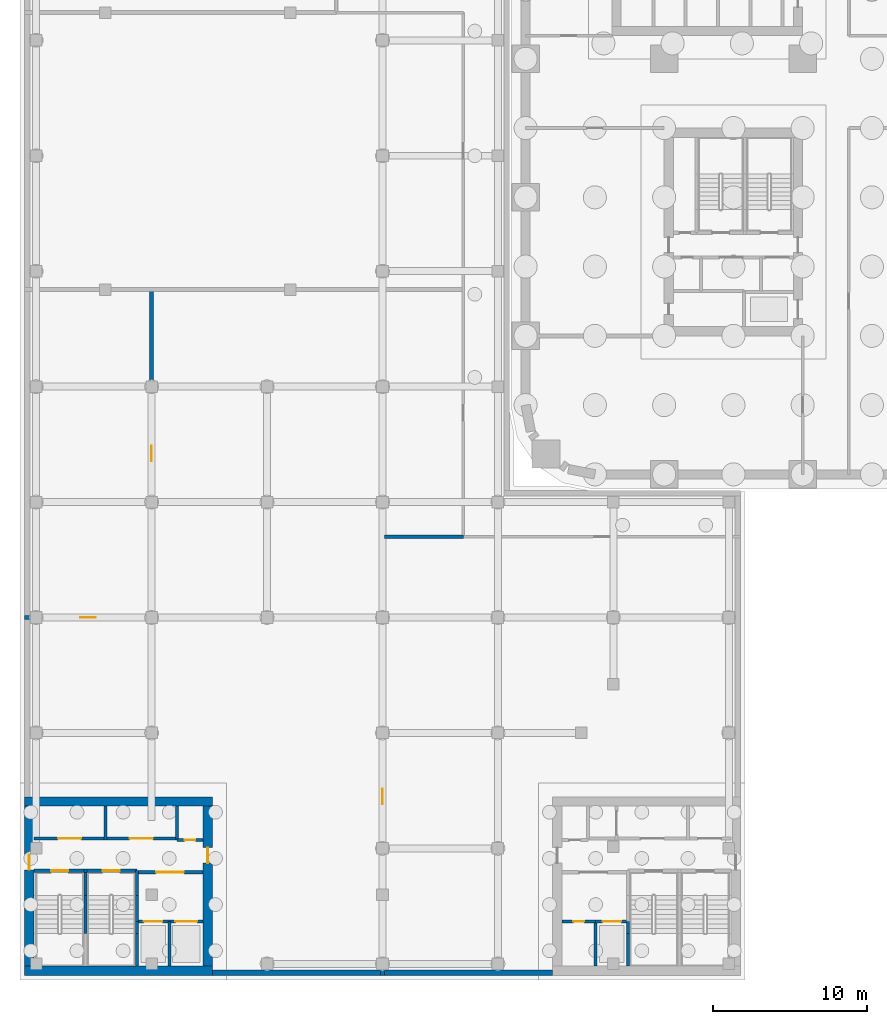
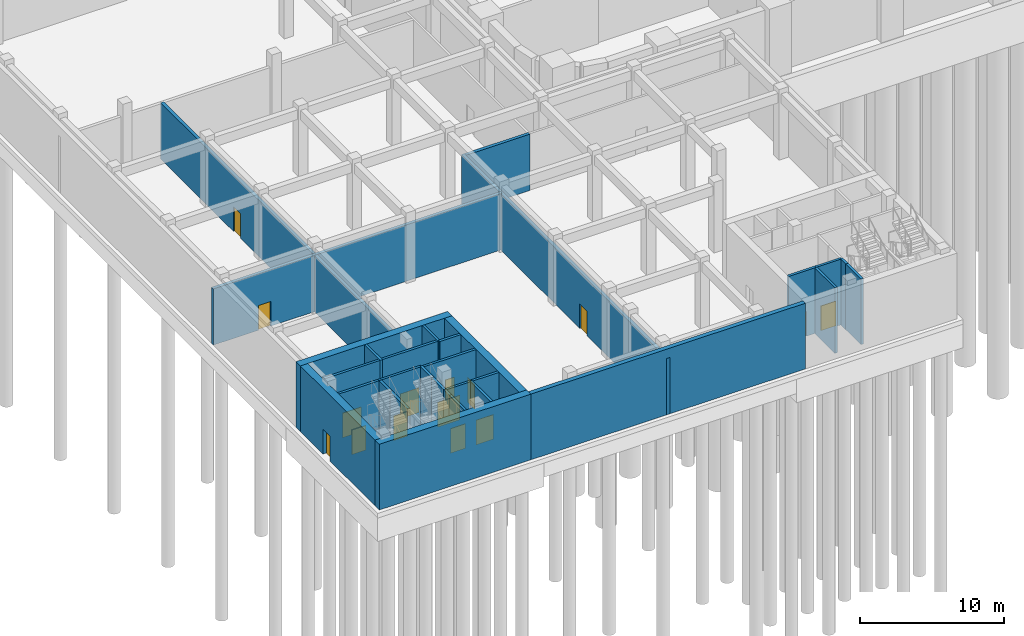
# One storey, part 4 of 26: 30 walls, 15 doors, 15 openings.
"""IFC4 building model written with IfcOpenShell, lengths in metres."""

from ifc_helpers import new_model, si_unit, direction, frame, frame_2d, origin, place, context, subcontext, project, spatial, rectangle, extrude, material, layer, layer_set, type_object, element, fill, save


model = new_model("IFC4")

# Units and contexts
model_context = context("Model", 3, precision=1e-05, world=origin(), true_north=direction((0.0, 1.0)))
body_context = subcontext(model_context, "Body", "Model", "MODEL_VIEW")
ifc_project = project(units=[si_unit("LENGTHUNIT", "METRE"), si_unit("AREAUNIT", "SQUARE_METRE"), si_unit("VOLUMEUNIT", "CUBIC_METRE"), si_unit("PLANEANGLEUNIT", "RADIAN"), si_unit("MASSUNIT", "GRAM", prefix="KILO")], contexts=[model_context])

# Site, building, storey
site_placement = place(None, origin())
site = spatial("IfcSite", under=ifc_project, at=site_placement, CompositionType="ELEMENT")
building_placement = place(site_placement, origin())
building = spatial("IfcBuilding", under=site, at=building_placement, Name="Tessera Arch", CompositionType="ELEMENT")
storey_placement = place(building_placement, frame((0.0, 0.0, -6.0)))
storey = spatial("IfcBuildingStorey", under=building, at=storey_placement, Name="B1", CompositionType="ELEMENT", Elevation=-6.0)

# Wall
ifc_material_1 = material(Name="Gypsum board on steel stud", Category="steel")
ifc_layer_1 = layer(ifc_material_1, 0.125)
ifc_layer_set_1 = layer_set([ifc_layer_1], Name="Core partition 125 EI 60")
wall_type_1 = type_object("IfcWallType", Name="Core partition 125 EI 60", PredefinedType="PARTITIONING", material=ifc_layer_set_1)
wall_1_placement = place(storey_placement, frame((-27.300048828125, -23.75, 0.0), z_axis=(0.0, 0.0, 1.0), x_axis=(0.0, 1.0, 0.0)))
element("IfcWall", 1, at=wall_1_placement, inside=storey, type_object=wall_type_1, Name="B1 M2 partition wall 4", PredefinedType="PARTITIONING", context=body_context, shape_type="SweptSolid", body=[
    extrude(rectangle(XDim=2.199951171875, YDim=0.199951171875, at=frame_2d((1.10009765625, 0.0))), origin(), (0.0, 0.0, 1.0), 5.590087890625),
])

# Wall, opening, door
wall_2_placement = place(storey_placement, frame((-25.25, -25.85009765625, 0.0), z_axis=(0.0, 0.0, 1.0), x_axis=(1.0, 0.0, 0.0)))
wall_2 = element("IfcWall", 2, at=wall_2_placement, inside=storey, type_object=wall_type_1, Name="B1 M2 partition wall 12", PredefinedType="PARTITIONING", context=body_context, shape_type="SweptSolid", body=[
    extrude(rectangle(XDim=4.300048828125, YDim=0.199951171875, at=frame_2d((2.14990234375, 0.0))), origin(), (0.0, 0.0, 1.0), 5.590087890625),
])
opening_1_placement = place(wall_2_placement, frame((1.25, 0.0, 0.0)))
opening_1 = element("IfcOpeningElement", 3, at=opening_1_placement, cuts=wall_2, Name="Opening B1-C59", PredefinedType="OPENING", context=body_context, shape_type="SweptSolid", body=[
    extrude(rectangle(XDim=1.800048828125, YDim=2.10009765625, at=frame_2d((0.89990234375, 1.050048828125))), frame((0.0, 0.10986328125, 0.0), z_axis=(0.0, -1.0, 0.0), x_axis=(1.0, 0.0, 0.0)), (0.0, 0.0, 1.0), 0.219970703125),
])
ifc_material_2 = material(Name="Glazed steel door leaf", Category="steel")
door_type_1 = type_object("IfcDoorType", Name="Lobby double door FD60 1800 x 2100", OperationType="DOUBLE_DOOR_SINGLE_SWING", PredefinedType="DOOR", material=ifc_material_2)
door_1_placement = place(opening_1_placement, origin())
door_1 = element("IfcDoor", 4, at=door_1_placement, inside=storey, type_object=door_type_1, Name="B1 M2 door 5 C59 type D19", OperationType="DOUBLE_DOOR_SINGLE_SWING", OverallHeight=2.10009765625, OverallWidth=1.800048828125, PredefinedType="DOOR", context=body_context, shape_type="SweptSolid", body=[
    extrude(rectangle(XDim=1.800048828125, YDim=2.10009765625, at=frame_2d((0.89990234375, 1.050048828125))), frame((0.0, 0.02490234375, 0.0), z_axis=(0.0, -1.0, 0.0), x_axis=(1.0, 0.0, 0.0)), (0.0, 0.0, 1.0), 0.050048828125),
])
fill(opening_1, door_1)

# Wall, openings, doors
wall_3_placement = place(storey_placement, frame((-31.949951171875, -23.64990234375, 0.0), z_axis=(0.0, 0.0, 1.0), x_axis=(1.0, 0.0, 0.0)))
wall_3 = element("IfcWall", 5, at=wall_3_placement, inside=storey, type_object=wall_type_1, Name="B1 M2 partition wall 16", PredefinedType="PARTITIONING", context=body_context, shape_type="SweptSolid", body=[
    extrude(rectangle(XDim=9.300048828125, YDim=0.199951171875, at=frame_2d((4.64990234375, 0.0))), origin(), (0.0, 0.0, 1.0), 5.590087890625),
])
opening_2_placement = place(wall_3_placement, frame((1.574951171875, 0.0, 0.0)))
opening_2 = element("IfcOpeningElement", 6, at=opening_2_placement, cuts=wall_3, Name="Opening B1-C63", PredefinedType="OPENING", context=body_context, shape_type="SweptSolid", body=[
    extrude(rectangle(XDim=1.5, YDim=2.10009765625, at=frame_2d((0.75, 1.050048828125))), frame((0.0, 0.10986328125, 0.0), z_axis=(0.0, -1.0, 0.0), x_axis=(1.0, 0.0, 0.0)), (0.0, 0.0, 1.0), 0.219970703125),
])
opening_3_placement = place(wall_3_placement, frame((6.22509765625, 0.0, 0.0)))
opening_3 = element("IfcOpeningElement", 7, at=opening_3_placement, cuts=wall_3, Name="Opening B1-C64", PredefinedType="OPENING", context=body_context, shape_type="SweptSolid", body=[
    extrude(rectangle(XDim=1.5, YDim=2.10009765625, at=frame_2d((0.75, 1.050048828125))), frame((0.0, 0.10986328125, 0.0), z_axis=(0.0, -1.0, 0.0), x_axis=(1.0, 0.0, 0.0)), (0.0, 0.0, 1.0), 0.219970703125),
])
ifc_material_3 = material(Name="Steel door leaf", Category="steel")
door_type_2 = type_object("IfcDoorType", Name="Plant door FD60 1500 x 2100", OperationType="DOUBLE_DOOR_SINGLE_SWING", PredefinedType="DOOR", material=ifc_material_3)
door_2_placement = place(opening_2_placement, origin())
door_2 = element("IfcDoor", 8, at=door_2_placement, inside=storey, type_object=door_type_2, Name="B1 M2 door 9 C63 type D08", OperationType="DOUBLE_DOOR_SINGLE_SWING", OverallHeight=2.10009765625, OverallWidth=1.5, PredefinedType="DOOR", context=body_context, shape_type="SweptSolid", body=[
    extrude(rectangle(XDim=1.5, YDim=2.10009765625, at=frame_2d((0.75, 1.050048828125))), frame((0.0, 0.02490234375, 0.0), z_axis=(0.0, -1.0, 0.0), x_axis=(1.0, 0.0, 0.0)), (0.0, 0.0, 1.0), 0.050048828125),
])
fill(opening_2, door_2)
door_3_placement = place(opening_3_placement, origin())
door_3 = element("IfcDoor", 9, at=door_3_placement, inside=storey, type_object=door_type_2, Name="B1 M2 door 10 C64 type D08", OperationType="DOUBLE_DOOR_SINGLE_SWING", OverallHeight=2.10009765625, OverallWidth=1.5, PredefinedType="DOOR", context=body_context, shape_type="SweptSolid", body=[
    extrude(rectangle(XDim=1.5, YDim=2.10009765625, at=frame_2d((0.75, 1.050048828125))), frame((0.0, 0.02490234375, 0.0), z_axis=(0.0, -1.0, 0.0), x_axis=(1.0, 0.0, 0.0)), (0.0, 0.0, 1.0), 0.050048828125),
])
fill(opening_3, door_3)

# Walls
ifc_material_4 = material(Name="Concrete C70/85", Category="concrete")
ifc_layer_2 = layer(ifc_material_4, 0.60009765625)
ifc_layer_set_2 = layer_set([ifc_layer_2], Name="Core shell wall 600 C70-85")
wall_type_2 = type_object("IfcWallType", Name="Core shell wall 600 C70-85", PredefinedType="SHEAR", material=ifc_layer_set_2)
for number, where, z_axis, x_axis, name in (
    (10, (-32.550048828125, -32.25, 0.0), (0.0, 0.0, 1.0), (1.0, 0.0, 0.0), "B1 M2 core wall S"),
    (11, (-32.550048828125, -21.25, 0.0), (0.0, 0.0, 1.0), (1.0, 0.0, 0.0), "B1 M2 core wall N"),
):
    element("IfcWall", number, at=place(storey_placement, frame(where, z_axis=z_axis, x_axis=x_axis)), inside=storey, type_object=wall_type_2, Name=name, PredefinedType="SHEAR", context=body_context, shape_type="SweptSolid", body=[
        extrude(rectangle(XDim=12.199951171875, YDim=0.60009765625, at=frame_2d((6.10009765625, 0.0))), origin(), (0.0, 0.0, 1.0), 5.590087890625),
    ])

# Wall, opening, door
wall_4_placement = place(storey_placement, frame((-32.25, -31.949951171875, 0.0), z_axis=(0.0, 0.0, 1.0), x_axis=(0.0, 1.0, 0.0)))
wall_4 = element("IfcWall", 12, at=wall_4_placement, inside=storey, type_object=wall_type_2, Name="B1 M2 core wall W", PredefinedType="SHEAR", context=body_context, shape_type="SweptSolid", body=[
    extrude(rectangle(XDim=10.39990234375, YDim=0.60009765625, at=frame_2d((5.199951171875, 0.0))), origin(), (0.0, 0.0, 1.0), 5.590087890625),
])
opening_4_placement = place(wall_4_placement, frame((6.25, 0.0, 0.0)))
opening_4 = element("IfcOpeningElement", 13, at=opening_4_placement, cuts=wall_4, Name="Opening B1-C61", PredefinedType="OPENING", context=body_context, shape_type="SweptSolid", body=[
    extrude(rectangle(XDim=1.0, YDim=2.10009765625, at=frame_2d((0.5, 1.050048828125))), frame((0.0, 0.31005859375, 0.0), z_axis=(0.0, -1.0, 0.0), x_axis=(1.0, 0.0, 0.0)), (0.0, 0.0, 1.0), 0.6201171875),
])
ifc_material_5 = material(Name="Steel door leaf", Category="steel")
door_type_3 = type_object("IfcDoorType", Name="Corridor door FD60 1000 x 2100", OperationType="SINGLE_SWING_LEFT", PredefinedType="DOOR", material=ifc_material_5)
door_4_placement = place(opening_4_placement, origin())
door_4 = element("IfcDoor", 14, at=door_4_placement, inside=storey, type_object=door_type_3, Name="B1 M2 door 7 C61 type D12", OperationType="SINGLE_SWING_RIGHT", OverallHeight=2.10009765625, OverallWidth=1.0, PredefinedType="DOOR", context=body_context, shape_type="SweptSolid", body=[
    extrude(rectangle(XDim=1.0, YDim=2.10009765625, at=frame_2d((0.5, 1.050048828125))), frame((0.0, 0.02490234375, 0.0), z_axis=(0.0, -1.0, 0.0), x_axis=(1.0, 0.0, 0.0)), (0.0, 0.0, 1.0), 0.050048828125),
])
fill(opening_4, door_4)

wall_5_placement = place(storey_placement, frame((-20.64990234375, -31.949951171875, 0.0), z_axis=(0.0, 0.0, 1.0), x_axis=(0.0, 1.0, 0.0)))
wall_5 = element("IfcWall", 15, at=wall_5_placement, inside=storey, type_object=wall_type_2, Name="B1 M2 core wall E", PredefinedType="SHEAR", context=body_context, shape_type="SweptSolid", body=[
    extrude(rectangle(XDim=10.39990234375, YDim=0.60009765625, at=frame_2d((5.199951171875, 0.0))), origin(), (0.0, 0.0, 1.0), 5.590087890625),
])
opening_5_placement = place(wall_5_placement, frame((6.699951171875, 0.0, 0.0)))
opening_5 = element("IfcOpeningElement", 16, at=opening_5_placement, cuts=wall_5, Name="Opening B1-C62", PredefinedType="OPENING", context=body_context, shape_type="SweptSolid", body=[
    extrude(rectangle(XDim=1.0, YDim=2.10009765625, at=frame_2d((0.5, 1.050048828125))), frame((0.0, 0.31005859375, 0.0), z_axis=(0.0, -1.0, 0.0), x_axis=(1.0, 0.0, 0.0)), (0.0, 0.0, 1.0), 0.6201171875),
])
door_5_placement = place(opening_5_placement, origin())
door_5 = element("IfcDoor", 17, at=door_5_placement, inside=storey, type_object=door_type_3, Name="B1 M2 door 8 C62 type D12", OperationType="SINGLE_SWING_RIGHT", OverallHeight=2.10009765625, OverallWidth=1.0, PredefinedType="DOOR", context=body_context, shape_type="SweptSolid", body=[
    extrude(rectangle(XDim=1.0, YDim=2.10009765625, at=frame_2d((0.5, 1.050048828125))), frame((0.0, 0.02490234375, 0.0), z_axis=(0.0, -1.0, 0.0), x_axis=(1.0, 0.0, 0.0)), (0.0, 0.0, 1.0), 0.050048828125),
])
fill(opening_5, door_5)

# Walls
ifc_material_6 = material(Name="Concrete C40/50", Category="concrete")
ifc_layer_3 = layer(ifc_material_6, 0.199951171875)
ifc_layer_set_3 = layer_set([ifc_layer_3], Name="Lift shaft wall 200 REI 180")
wall_type_3 = type_object("IfcWallType", Name="Lift shaft wall 200 REI 180", PredefinedType="SOLIDWALL", material=ifc_layer_set_3)
wall_6_placement = place(storey_placement, frame((-25.25, -31.949951171875, 0.0), z_axis=(0.0, 0.0, 1.0), x_axis=(0.0, 1.0, 0.0)))
element("IfcWall", 18, at=wall_6_placement, inside=storey, type_object=wall_type_3, Name="B1 M2 shaft wall 5", PredefinedType="SOLIDWALL", context=body_context, shape_type="SweptSolid", body=[
    extrude(rectangle(XDim=2.119873046875, YDim=0.199951171875, at=frame_2d((1.06005859375, 0.0))), origin(), (0.0, 0.0, 1.0), 5.590087890625),
])
wall_7_placement = place(storey_placement, frame((-25.25, -29.830078125, 0.0), z_axis=(0.0, 0.0, 1.0), x_axis=(0.0, 1.0, 0.0)))
element("IfcWall", 19, at=wall_7_placement, inside=storey, type_object=wall_type_3, Name="B1 M2 shaft wall 6", PredefinedType="SOLIDWALL", context=body_context, shape_type="SweptSolid", body=[
    extrude(rectangle(XDim=0.780029296875, YDim=0.199951171875, at=frame_2d((0.39013671875, 0.0))), origin(), (0.0, 0.0, 1.0), 5.590087890625),
])
wall_8_placement = place(storey_placement, frame((-23.14990234375, -31.949951171875, 0.0), z_axis=(0.0, 0.0, 1.0), x_axis=(0.0, 1.0, 0.0)))
element("IfcWall", 20, at=wall_8_placement, inside=storey, type_object=wall_type_3, Name="B1 M2 shaft wall 9", PredefinedType="SOLIDWALL", context=body_context, shape_type="SweptSolid", body=[
    extrude(rectangle(XDim=2.89990234375, YDim=0.199951171875, at=frame_2d((1.449951171875, 0.0))), origin(), (0.0, 0.0, 1.0), 5.590087890625),
])

# Wall, openings, doors
wall_9_placement = place(storey_placement, frame((-25.25, -29.050048828125, 0.0), z_axis=(0.0, 0.0, 1.0), x_axis=(1.0, 0.0, 0.0)))
wall_9 = element("IfcWall", 21, at=wall_9_placement, inside=storey, type_object=wall_type_3, Name="B1 M2 shaft wall 11", PredefinedType="SOLIDWALL", context=body_context, shape_type="SweptSolid", body=[
    extrude(rectangle(XDim=4.300048828125, YDim=0.199951171875, at=frame_2d((2.14990234375, 0.0))), origin(), (0.0, 0.0, 1.0), 5.590087890625),
])
opening_6_placement = place(wall_9_placement, frame((0.449951171875, 0.0, 0.0)))
opening_6 = element("IfcOpeningElement", 22, at=opening_6_placement, cuts=wall_9, Name="Opening B1-C55", PredefinedType="OPENING", context=body_context, shape_type="SweptSolid", body=[
    extrude(rectangle(XDim=1.199951171875, YDim=2.10009765625, at=frame_2d((0.60009765625, 1.050048828125))), frame((0.0, 0.10986328125, 0.0), z_axis=(0.0, -1.0, 0.0), x_axis=(1.0, 0.0, 0.0)), (0.0, 0.0, 1.0), 0.219970703125),
])
opening_7_placement = place(wall_9_placement, frame((2.5, 0.0, 0.0)))
opening_7 = element("IfcOpeningElement", 23, at=opening_7_placement, cuts=wall_9, Name="Opening B1-C56", PredefinedType="OPENING", context=body_context, shape_type="SweptSolid", body=[
    extrude(rectangle(XDim=1.39990234375, YDim=2.10009765625, at=frame_2d((0.699951171875, 1.050048828125))), frame((0.0, 0.10986328125, 0.0), z_axis=(0.0, -1.0, 0.0), x_axis=(1.0, 0.0, 0.0)), (0.0, 0.0, 1.0), 0.219970703125),
])
ifc_material_7 = material(Name="Stainless steel AISI 304", Category="steel")
door_type_4 = type_object("IfcDoorType", Name="Sliding landing door 1200 x 2100", OperationType="SLIDING_TO_LEFT", PredefinedType="DOOR", material=ifc_material_7)
door_6_placement = place(opening_6_placement, origin())
door_6 = element("IfcDoor", 24, at=door_6_placement, inside=storey, type_object=door_type_4, Name="B1 ML2 lift landing door C55 type LD", OperationType="SLIDING_TO_LEFT", OverallHeight=2.10009765625, OverallWidth=1.199951171875, PredefinedType="DOOR", context=body_context, shape_type="SweptSolid", body=[
    extrude(rectangle(XDim=1.199951171875, YDim=2.10009765625, at=frame_2d((0.60009765625, 1.050048828125))), frame((0.0, 0.02490234375, 0.0), z_axis=(0.0, -1.0, 0.0), x_axis=(1.0, 0.0, 0.0)), (0.0, 0.0, 1.0), 0.050048828125),
])
fill(opening_6, door_6)
ifc_material_8 = material(Name="Stainless steel AISI 304", Category="steel")
door_type_5 = type_object("IfcDoorType", Name="Sliding landing door 1400 x 2100", OperationType="SLIDING_TO_LEFT", PredefinedType="DOOR", material=ifc_material_8)
door_7_placement = place(opening_7_placement, origin())
door_7 = element("IfcDoor", 25, at=door_7_placement, inside=storey, type_object=door_type_5, Name="B1 ML3 lift landing door C56 type LDW", OperationType="SLIDING_TO_LEFT", OverallHeight=2.10009765625, OverallWidth=1.39990234375, PredefinedType="DOOR", context=body_context, shape_type="SweptSolid", body=[
    extrude(rectangle(XDim=1.39990234375, YDim=2.10009765625, at=frame_2d((0.699951171875, 1.050048828125))), frame((0.0, 0.02490234375, 0.0), z_axis=(0.0, -1.0, 0.0), x_axis=(1.0, 0.0, 0.0)), (0.0, 0.0, 1.0), 0.050048828125),
])
fill(opening_7, door_7)

# Walls
wall_10_placement = place(storey_placement, frame((4.550048828125, -31.949951171875, 0.0), z_axis=(0.0, 0.0, 1.0), x_axis=(0.0, 1.0, 0.0)))
element("IfcWall", 26, at=wall_10_placement, inside=storey, type_object=wall_type_3, Name="B1 M3 shaft wall 2", PredefinedType="SOLIDWALL", context=body_context, shape_type="SweptSolid", body=[
    extrude(rectangle(XDim=2.89990234375, YDim=0.199951171875, at=frame_2d((1.449951171875, 0.0))), origin(), (0.0, 0.0, 1.0), 5.590087890625),
])
wall_11_placement = place(storey_placement, frame((6.64990234375, -31.949951171875, 0.0), z_axis=(0.0, 0.0, 1.0), x_axis=(0.0, 1.0, 0.0)))
element("IfcWall", 27, at=wall_11_placement, inside=storey, type_object=wall_type_3, Name="B1 M3 shaft wall 4", PredefinedType="SOLIDWALL", context=body_context, shape_type="SweptSolid", body=[
    extrude(rectangle(XDim=2.119873046875, YDim=0.199951171875, at=frame_2d((1.06005859375, 0.0))), origin(), (0.0, 0.0, 1.0), 5.590087890625),
])
wall_12_placement = place(storey_placement, frame((6.64990234375, -29.830078125, 0.0), z_axis=(0.0, 0.0, 1.0), x_axis=(0.0, 1.0, 0.0)))
element("IfcWall", 28, at=wall_12_placement, inside=storey, type_object=wall_type_3, Name="B1 M3 shaft wall 5", PredefinedType="SOLIDWALL", context=body_context, shape_type="SweptSolid", body=[
    extrude(rectangle(XDim=0.780029296875, YDim=0.199951171875, at=frame_2d((0.39013671875, 0.0))), origin(), (0.0, 0.0, 1.0), 5.590087890625),
])

# Wall, opening, door
wall_13_placement = place(storey_placement, frame((4.550048828125, -29.050048828125, 0.0), z_axis=(0.0, 0.0, 1.0), x_axis=(1.0, 0.0, 0.0)))
wall_13 = element("IfcWall", 29, at=wall_13_placement, inside=storey, type_object=wall_type_3, Name="B1 M3 shaft wall 12", PredefinedType="SOLIDWALL", context=body_context, shape_type="SweptSolid", body=[
    extrude(rectangle(XDim=2.099853515625, YDim=0.199951171875, at=frame_2d((1.0498046875, 0.0))), origin(), (0.0, 0.0, 1.0), 5.590087890625),
])
opening_8_placement = place(wall_13_placement, frame((0.449951171875, 0.0, 0.0)))
opening_8 = element("IfcOpeningElement", 30, at=opening_8_placement, cuts=wall_13, Name="Opening B1-C65", PredefinedType="OPENING", context=body_context, shape_type="SweptSolid", body=[
    extrude(rectangle(XDim=1.199951171875, YDim=2.10009765625, at=frame_2d((0.60009765625, 1.050048828125))), frame((0.0, 0.10986328125, 0.0), z_axis=(0.0, -1.0, 0.0), x_axis=(1.0, 0.0, 0.0)), (0.0, 0.0, 1.0), 0.219970703125),
])
door_8_placement = place(opening_8_placement, origin())
door_8 = element("IfcDoor", 31, at=door_8_placement, inside=storey, type_object=door_type_4, Name="B1 ML4 lift landing door C65 type LD", OperationType="SLIDING_TO_LEFT", OverallHeight=2.10009765625, OverallWidth=1.199951171875, PredefinedType="DOOR", context=body_context, shape_type="SweptSolid", body=[
    extrude(rectangle(XDim=1.199951171875, YDim=2.10009765625, at=frame_2d((0.60009765625, 1.050048828125))), frame((0.0, 0.02490234375, 0.0), z_axis=(0.0, -1.0, 0.0), x_axis=(1.0, 0.0, 0.0)), (0.0, 0.0, 1.0), 0.050048828125),
])
fill(opening_8, door_8)

# Wall
ifc_material_9 = material(Name="Concrete C50/60", Category="concrete")
ifc_layer_4 = layer(ifc_material_9, 0.35009765625)
ifc_layer_set_4 = layer_set([ifc_layer_4], Name="Museum basement wall 350 Concrete C50/60")
wall_type_4 = type_object("IfcWallType", Name="Museum basement wall 350 Concrete C50/60", PredefinedType="SOLIDWALL", material=ifc_layer_set_4)
wall_14_placement = place(storey_placement, frame((1.75, -32.375, 0.0), z_axis=(0.0, 0.0, 1.0), x_axis=(-1.0, 0.0, 0.0)))
element("IfcWall", 32, at=wall_14_placement, inside=storey, type_object=wall_type_4, Name="Museum basement wall B1 6", PredefinedType="SOLIDWALL", context=body_context, shape_type="SweptSolid", body=[
    extrude(rectangle(XDim=22.10009765625, YDim=0.35009765625, at=frame_2d((11.050048828125, 0.0))), origin(), (0.0, 0.0, 1.0), 5.590087890625),
])

# Wall, opening, door
ifc_material_10 = material(Name="Double gypsum board on twin steel stud with acoustic mineral wool", Category="steel")
ifc_layer_5 = layer(ifc_material_10, 0.25)
ifc_layer_set_5 = layer_set([ifc_layer_5], Name="Party wall 250 EI 60")
wall_type_5 = type_object("IfcWallType", Name="Party wall 250 EI 60", PredefinedType="PARTITIONING", material=ifc_layer_set_5)
wall_15_placement = place(storey_placement, frame((-32.550048828125, -9.300048828125, 0.0), z_axis=(0.0, 0.0, 1.0), x_axis=(1.0, 0.0, 0.0)))
wall_15 = element("IfcWall", 33, at=wall_15_placement, inside=storey, type_object=wall_type_5, Name="B1 partition 27", PredefinedType="PARTITIONING", context=body_context, shape_type="SweptSolid", body=[
    extrude(rectangle(XDim=23.25, YDim=0.25, at=frame_2d((11.625, 0.0))), origin(), (0.0, 0.0, 1.0), 4.7900390625),
])
opening_9_placement = place(wall_15_placement, frame((3.625, 0.0, 0.0)))
opening_9 = element("IfcOpeningElement", 34, at=opening_9_placement, cuts=wall_15, Name="Opening B1-D003", PredefinedType="OPENING", context=body_context, shape_type="SweptSolid", body=[
    extrude(rectangle(XDim=1.0, YDim=2.10009765625, at=frame_2d((0.5, 1.050048828125))), frame((0.0, 0.135009765625, 0.0), z_axis=(0.0, -1.0, 0.0), x_axis=(1.0, 0.0, 0.0)), (0.0, 0.0, 1.0), 0.27001953125),
])
ifc_material_11 = material(Name="Fire-rated door leaf")
door_type_6 = type_object("IfcDoorType", Name="Entrance door FD30S 1000 x 2100", OperationType="SINGLE_SWING_LEFT", PredefinedType="DOOR", material=ifc_material_11)
door_9_placement = place(opening_9_placement, origin())
door_9 = element("IfcDoor", 35, at=door_9_placement, inside=storey, type_object=door_type_6, Name="B1 door D003 type D03", OperationType="SINGLE_SWING_LEFT", OverallHeight=2.10009765625, OverallWidth=1.0, PredefinedType="DOOR", context=body_context, shape_type="SweptSolid", body=[
    extrude(rectangle(XDim=1.0, YDim=2.10009765625, at=frame_2d((0.5, 1.050048828125))), frame((0.0, 0.02490234375, 0.0), z_axis=(0.0, -1.0, 0.0), x_axis=(1.0, 0.0, 0.0)), (0.0, 0.0, 1.0), 0.050048828125),
])
fill(opening_9, door_9)

# Wall
wall_16_placement = place(storey_placement, frame((-9.175048828125, -4.050048828125, 0.0), z_axis=(0.0, 0.0, 1.0), x_axis=(1.0, 0.0, 0.0)))
element("IfcWall", 36, at=wall_16_placement, inside=storey, type_object=wall_type_5, Name="B1 partition 28", PredefinedType="PARTITIONING", context=body_context, shape_type="SweptSolid", body=[
    extrude(rectangle(XDim=5.125, YDim=0.25, at=frame_2d((2.5625, 0.0))), origin(), (0.0, 0.0, 1.0), 4.7900390625),
])

# Wall, opening, door
wall_17_placement = place(storey_placement, frame((-24.300048828125, -20.949951171875, 0.0), z_axis=(0.0, 0.0, 1.0), x_axis=(0.0, 1.0, 0.0)))
wall_17 = element("IfcWall", 37, at=wall_17_placement, inside=storey, type_object=wall_type_5, Name="B1 partition 32", PredefinedType="PARTITIONING", context=body_context, shape_type="SweptSolid", body=[
    extrude(rectangle(XDim=32.949951171875, YDim=0.25, at=frame_2d((16.47509765625, 0.0))), origin(), (0.0, 0.0, 1.0), 4.7900390625),
])
opening_10_placement = place(wall_17_placement, frame((21.800048828125, 0.0, 0.0)))
opening_10 = element("IfcOpeningElement", 38, at=opening_10_placement, cuts=wall_17, Name="Opening B1-D001", PredefinedType="OPENING", context=body_context, shape_type="SweptSolid", body=[
    extrude(rectangle(XDim=1.0, YDim=2.10009765625, at=frame_2d((0.5, 1.050048828125))), frame((0.0, 0.135009765625, 0.0), z_axis=(0.0, -1.0, 0.0), x_axis=(1.0, 0.0, 0.0)), (0.0, 0.0, 1.0), 0.27001953125),
])
door_10_placement = place(opening_10_placement, origin())
door_10 = element("IfcDoor", 39, at=door_10_placement, inside=storey, type_object=door_type_6, Name="B1 door D001 type D03", OperationType="SINGLE_SWING_RIGHT", OverallHeight=2.10009765625, OverallWidth=1.0, PredefinedType="DOOR", context=body_context, shape_type="SweptSolid", body=[
    extrude(rectangle(XDim=1.0, YDim=2.10009765625, at=frame_2d((0.5, 1.050048828125))), frame((0.0, 0.02490234375, 0.0), z_axis=(0.0, -1.0, 0.0), x_axis=(1.0, 0.0, 0.0)), (0.0, 0.0, 1.0), 0.050048828125),
])
fill(opening_10, door_10)

wall_18_placement = place(storey_placement, frame((-9.300048828125, -32.550048828125, 0.0), z_axis=(0.0, 0.0, 1.0), x_axis=(0.0, 1.0, 0.0)))
wall_18 = element("IfcWall", 40, at=wall_18_placement, inside=storey, type_object=wall_type_5, Name="B1 partition 33", PredefinedType="PARTITIONING", context=body_context, shape_type="SweptSolid", body=[
    extrude(rectangle(XDim=28.625, YDim=0.25, at=frame_2d((14.3125, 0.0))), origin(), (0.0, 0.0, 1.0), 4.7900390625),
])
opening_11_placement = place(wall_18_placement, frame((11.125, 0.0, 0.0)))
opening_11 = element("IfcOpeningElement", 41, at=opening_11_placement, cuts=wall_18, Name="Opening B1-D002", PredefinedType="OPENING", context=body_context, shape_type="SweptSolid", body=[
    extrude(rectangle(XDim=1.0, YDim=2.10009765625, at=frame_2d((0.5, 1.050048828125))), frame((0.0, 0.135009765625, 0.0), z_axis=(0.0, -1.0, 0.0), x_axis=(1.0, 0.0, 0.0)), (0.0, 0.0, 1.0), 0.27001953125),
])
door_11_placement = place(opening_11_placement, origin())
door_11 = element("IfcDoor", 42, at=door_11_placement, inside=storey, type_object=door_type_6, Name="B1 door D002 type D03", OperationType="SINGLE_SWING_RIGHT", OverallHeight=2.10009765625, OverallWidth=1.0, PredefinedType="DOOR", context=body_context, shape_type="SweptSolid", body=[
    extrude(rectangle(XDim=1.0, YDim=2.10009765625, at=frame_2d((0.5, 1.050048828125))), frame((0.0, 0.02490234375, 0.0), z_axis=(0.0, -1.0, 0.0), x_axis=(1.0, 0.0, 0.0)), (0.0, 0.0, 1.0), 0.050048828125),
])
fill(opening_11, door_11)

# Wall
ifc_material_12 = material(Name="Concrete C40/50", Category="concrete")
ifc_layer_6 = layer(ifc_material_12, 0.199951171875)
ifc_layer_set_6 = layer_set([ifc_layer_6], Name="Shaft wall 200 EI 120")
wall_type_6 = type_object("IfcWallType", Name="Shaft wall 200 EI 120", PredefinedType="SOLIDWALL", material=ifc_layer_set_6)
wall_19_placement = place(storey_placement, frame((-22.64990234375, -23.75, 0.0), z_axis=(0.0, 0.0, 1.0), x_axis=(0.0, 1.0, 0.0)))
element("IfcWall", 43, at=wall_19_placement, inside=storey, type_object=wall_type_6, Name="B1 M2 shaft wall 10", PredefinedType="SOLIDWALL", context=body_context, shape_type="SweptSolid", body=[
    extrude(rectangle(XDim=2.199951171875, YDim=0.199951171875, at=frame_2d((1.10009765625, 0.0))), origin(), (0.0, 0.0, 1.0), 5.590087890625),
])

# Wall, opening, door
wall_20_placement = place(storey_placement, frame((-22.64990234375, -23.75, 0.0), z_axis=(0.0, 0.0, 1.0), x_axis=(1.0, 0.0, 0.0)))
wall_20 = element("IfcWall", 44, at=wall_20_placement, inside=storey, type_object=wall_type_6, Name="B1 M2 shaft wall 17", PredefinedType="SOLIDWALL", context=body_context, shape_type="SweptSolid", body=[
    extrude(rectangle(XDim=1.699951171875, YDim=0.199951171875, at=frame_2d((0.85009765625, 0.0))), origin(), (0.0, 0.0, 1.0), 5.590087890625),
])
opening_12_placement = place(wall_20_placement, frame((0.5, 0.0, 0.0)))
opening_12 = element("IfcOpeningElement", 45, at=opening_12_placement, cuts=wall_20, Name="Opening B1-C60", PredefinedType="OPENING", context=body_context, shape_type="SweptSolid", body=[
    extrude(rectangle(XDim=0.699951171875, YDim=2.10009765625, at=frame_2d((0.35009765625, 1.050048828125))), frame((0.0, 0.10986328125, 0.0), z_axis=(0.0, -1.0, 0.0), x_axis=(1.0, 0.0, 0.0)), (0.0, 0.0, 1.0), 0.219970703125),
])
ifc_material_13 = material(Name="Steel door leaf", Category="steel")
door_type_7 = type_object("IfcDoorType", Name="Service shaft door FD60 700 x 2100", OperationType="SINGLE_SWING_LEFT", PredefinedType="DOOR", material=ifc_material_13)
door_12_placement = place(opening_12_placement, origin())
door_12 = element("IfcDoor", 46, at=door_12_placement, inside=storey, type_object=door_type_7, Name="B1 M2 door 6 C60 type D07", OperationType="SINGLE_SWING_RIGHT", OverallHeight=2.10009765625, OverallWidth=0.699951171875, PredefinedType="DOOR", context=body_context, shape_type="SweptSolid", body=[
    extrude(rectangle(XDim=0.699951171875, YDim=2.10009765625, at=frame_2d((0.35009765625, 1.050048828125))), frame((0.0, 0.02490234375, 0.0), z_axis=(0.0, -1.0, 0.0), x_axis=(1.0, 0.0, 0.0)), (0.0, 0.0, 1.0), 0.050048828125),
])
fill(opening_12, door_12)

wall_21_placement = place(storey_placement, frame((2.35009765625, -29.050048828125, 0.0), z_axis=(0.0, 0.0, 1.0), x_axis=(1.0, 0.0, 0.0)))
wall_21 = element("IfcWall", 47, at=wall_21_placement, inside=storey, type_object=wall_type_6, Name="B1 M3 shaft wall 13", PredefinedType="SOLIDWALL", context=body_context, shape_type="SweptSolid", body=[
    extrude(rectangle(XDim=2.199951171875, YDim=0.199951171875, at=frame_2d((1.10009765625, 0.0))), origin(), (0.0, 0.0, 1.0), 5.590087890625),
])
opening_13_placement = place(wall_21_placement, frame((0.75, 0.0, 0.0)))
opening_13 = element("IfcOpeningElement", 48, at=opening_13_placement, cuts=wall_21, Name="Opening B1-C70", PredefinedType="OPENING", context=body_context, shape_type="SweptSolid", body=[
    extrude(rectangle(XDim=0.699951171875, YDim=2.10009765625, at=frame_2d((0.35009765625, 1.050048828125))), frame((0.0, 0.10986328125, 0.0), z_axis=(0.0, -1.0, 0.0), x_axis=(1.0, 0.0, 0.0)), (0.0, 0.0, 1.0), 0.219970703125),
])
door_13_placement = place(opening_13_placement, origin())
door_13 = element("IfcDoor", 49, at=door_13_placement, inside=storey, type_object=door_type_7, Name="B1 M3 door 6 C70 type D07", OperationType="SINGLE_SWING_RIGHT", OverallHeight=2.10009765625, OverallWidth=0.699951171875, PredefinedType="DOOR", context=body_context, shape_type="SweptSolid", body=[
    extrude(rectangle(XDim=0.699951171875, YDim=2.10009765625, at=frame_2d((0.35009765625, 1.050048828125))), frame((0.0, 0.02490234375, 0.0), z_axis=(0.0, -1.0, 0.0), x_axis=(1.0, 0.0, 0.0)), (0.0, 0.0, 1.0), 0.050048828125),
])
fill(opening_13, door_13)

# Walls
ifc_material_14 = material(Name="Concrete C40/50", Category="concrete")
ifc_layer_7 = layer(ifc_material_14, 0.199951171875)
ifc_layer_set_7 = layer_set([ifc_layer_7], Name="Stair well wall 200 REI 180")
wall_type_7 = type_object("IfcWallType", Name="Stair well wall 200 REI 180", PredefinedType="SOLIDWALL", material=ifc_layer_set_7)
wall_22_placement = place(storey_placement, frame((-28.60009765625, -29.830078125, 0.0), z_axis=(0.0, 0.0, 1.0), x_axis=(0.0, 1.0, 0.0)))
element("IfcWall", 50, at=wall_22_placement, inside=storey, type_object=wall_type_7, Name="B1 M2 shaft wall 2", PredefinedType="SOLIDWALL", context=body_context, shape_type="SweptSolid", body=[
    extrude(rectangle(XDim=2.47998046875, YDim=0.199951171875, at=frame_2d((1.239990234375, 0.0))), origin(), (0.0, 0.0, 1.0), 5.590087890625),
])
wall_23_placement = place(storey_placement, frame((-28.60009765625, -27.35009765625, 0.0), z_axis=(0.0, 0.0, 1.0), x_axis=(0.0, 1.0, 0.0)))
element("IfcWall", 51, at=wall_23_placement, inside=storey, type_object=wall_type_7, Name="B1 M2 shaft wall 3", PredefinedType="SOLIDWALL", context=body_context, shape_type="SweptSolid", body=[
    extrude(rectangle(XDim=1.60009765625, YDim=0.199951171875, at=frame_2d((0.800048828125, 0.0))), origin(), (0.0, 0.0, 1.0), 5.590087890625),
])
wall_24_placement = place(storey_placement, frame((-25.25, -29.050048828125, 0.0), z_axis=(0.0, 0.0, 1.0), x_axis=(0.0, 1.0, 0.0)))
element("IfcWall", 52, at=wall_24_placement, inside=storey, type_object=wall_type_7, Name="B1 M2 shaft wall 7", PredefinedType="SOLIDWALL", context=body_context, shape_type="SweptSolid", body=[
    extrude(rectangle(XDim=1.699951171875, YDim=0.199951171875, at=frame_2d((0.85009765625, 0.0))), origin(), (0.0, 0.0, 1.0), 5.590087890625),
])
wall_25_placement = place(storey_placement, frame((-25.25, -27.35009765625, 0.0), z_axis=(0.0, 0.0, 1.0), x_axis=(0.0, 1.0, 0.0)))
element("IfcWall", 53, at=wall_25_placement, inside=storey, type_object=wall_type_7, Name="B1 M2 shaft wall 8", PredefinedType="SOLIDWALL", context=body_context, shape_type="SweptSolid", body=[
    extrude(rectangle(XDim=1.60009765625, YDim=0.199951171875, at=frame_2d((0.800048828125, 0.0))), origin(), (0.0, 0.0, 1.0), 5.590087890625),
])

# Wall, opening, door
wall_26_placement = place(storey_placement, frame((-31.949951171875, -25.75, 0.0), z_axis=(0.0, 0.0, 1.0), x_axis=(1.0, 0.0, 0.0)))
wall_26 = element("IfcWall", 54, at=wall_26_placement, inside=storey, type_object=wall_type_7, Name="B1 M2 shaft wall 13", PredefinedType="SOLIDWALL", context=body_context, shape_type="SweptSolid", body=[
    extrude(rectangle(XDim=3.25, YDim=0.199951171875, at=frame_2d((1.625, 0.0))), origin(), (0.0, 0.0, 1.0), 5.590087890625),
])
opening_14_placement = place(wall_26_placement, frame((1.125, 0.0, 0.0)))
opening_14 = element("IfcOpeningElement", 55, at=opening_14_placement, cuts=wall_26, Name="Opening B1-C57", PredefinedType="OPENING", context=body_context, shape_type="SweptSolid", body=[
    extrude(rectangle(XDim=1.10009765625, YDim=2.10009765625, at=frame_2d((0.550048828125, 1.050048828125))), frame((0.0, 0.10986328125, 0.0), z_axis=(0.0, -1.0, 0.0), x_axis=(1.0, 0.0, 0.0)), (0.0, 0.0, 1.0), 0.219970703125),
])
ifc_material_15 = material(Name="Steel door leaf", Category="steel")
door_type_8 = type_object("IfcDoorType", Name="Stair door FD60 1100 x 2100", OperationType="SINGLE_SWING_LEFT", PredefinedType="DOOR", material=ifc_material_15)
door_14_placement = place(opening_14_placement, origin())
door_14 = element("IfcDoor", 56, at=door_14_placement, inside=storey, type_object=door_type_8, Name="B1 M2 door 3 C57 type D05", OperationType="SINGLE_SWING_RIGHT", OverallHeight=2.10009765625, OverallWidth=1.10009765625, PredefinedType="DOOR", context=body_context, shape_type="SweptSolid", body=[
    extrude(rectangle(XDim=1.10009765625, YDim=2.10009765625, at=frame_2d((0.550048828125, 1.050048828125))), frame((0.0, 0.02490234375, 0.0), z_axis=(0.0, -1.0, 0.0), x_axis=(1.0, 0.0, 0.0)), (0.0, 0.0, 1.0), 0.050048828125),
])
fill(opening_14, door_14)

# Wall
wall_27_placement = place(storey_placement, frame((-28.699951171875, -25.75, 0.0), z_axis=(0.0, 0.0, 1.0), x_axis=(1.0, 0.0, 0.0)))
element("IfcWall", 57, at=wall_27_placement, inside=storey, type_object=wall_type_7, Name="B1 M2 shaft wall 14", PredefinedType="SOLIDWALL", context=body_context, shape_type="SweptSolid", body=[
    extrude(rectangle(XDim=0.199951171875, YDim=0.199951171875, at=frame_2d((0.10009765625, 0.0))), origin(), (0.0, 0.0, 1.0), 5.590087890625),
])

# Wall, opening, door
wall_28_placement = place(storey_placement, frame((-28.5, -25.75, 0.0), z_axis=(0.0, 0.0, 1.0), x_axis=(1.0, 0.0, 0.0)))
wall_28 = element("IfcWall", 58, at=wall_28_placement, inside=storey, type_object=wall_type_7, Name="B1 M2 shaft wall 15", PredefinedType="SOLIDWALL", context=body_context, shape_type="SweptSolid", body=[
    extrude(rectangle(XDim=3.25, YDim=0.199951171875, at=frame_2d((1.625, 0.0))), origin(), (0.0, 0.0, 1.0), 5.590087890625),
])
opening_15_placement = place(wall_28_placement, frame((1.02490234375, 0.0, 0.0)))
opening_15 = element("IfcOpeningElement", 59, at=opening_15_placement, cuts=wall_28, Name="Opening B1-C58", PredefinedType="OPENING", context=body_context, shape_type="SweptSolid", body=[
    extrude(rectangle(XDim=1.10009765625, YDim=2.10009765625, at=frame_2d((0.550048828125, 1.050048828125))), frame((0.0, 0.10986328125, 0.0), z_axis=(0.0, -1.0, 0.0), x_axis=(1.0, 0.0, 0.0)), (0.0, 0.0, 1.0), 0.219970703125),
])
door_15_placement = place(opening_15_placement, origin())
door_15 = element("IfcDoor", 60, at=door_15_placement, inside=storey, type_object=door_type_8, Name="B1 M2 door 4 C58 type D05", OperationType="SINGLE_SWING_LEFT", OverallHeight=2.10009765625, OverallWidth=1.10009765625, PredefinedType="DOOR", context=body_context, shape_type="SweptSolid", body=[
    extrude(rectangle(XDim=1.10009765625, YDim=2.10009765625, at=frame_2d((0.550048828125, 1.050048828125))), frame((0.0, 0.02490234375, 0.0), z_axis=(0.0, -1.0, 0.0), x_axis=(1.0, 0.0, 0.0)), (0.0, 0.0, 1.0), 0.050048828125),
])
fill(opening_15, door_15)

save(model, "model.ifc")
